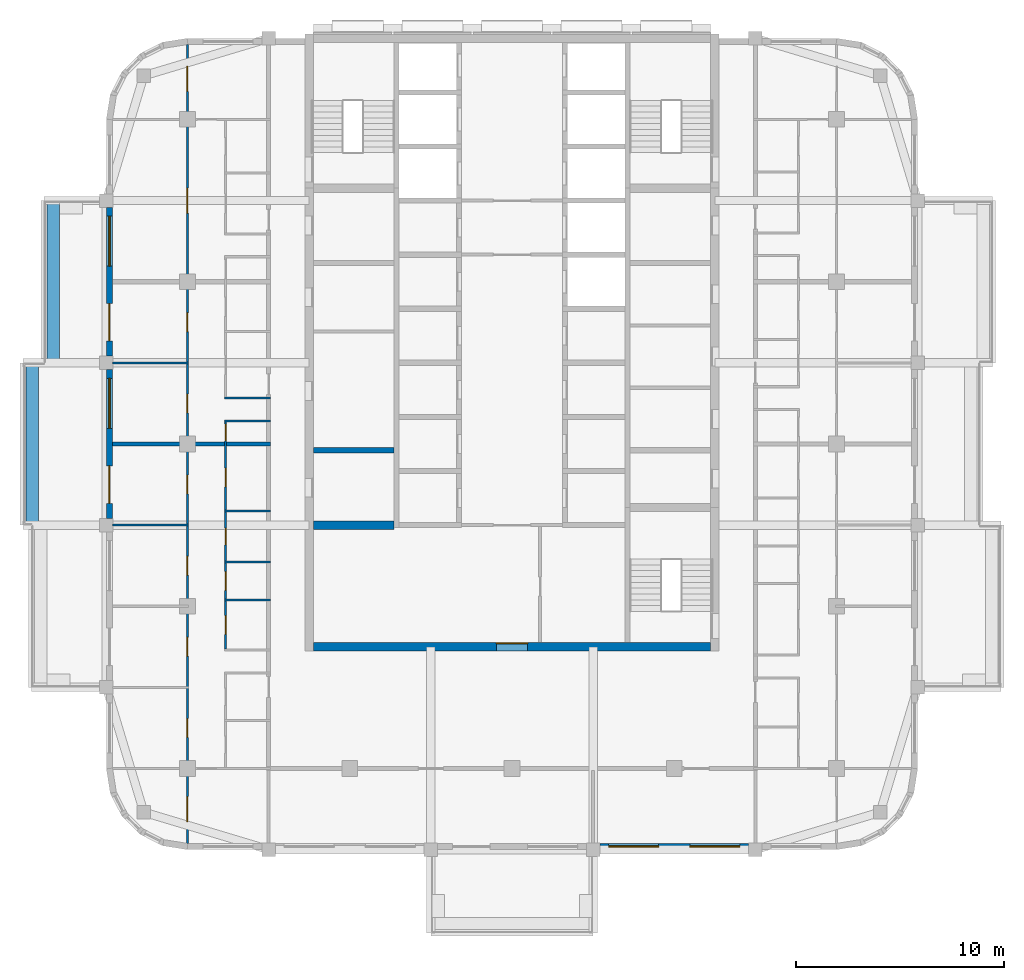
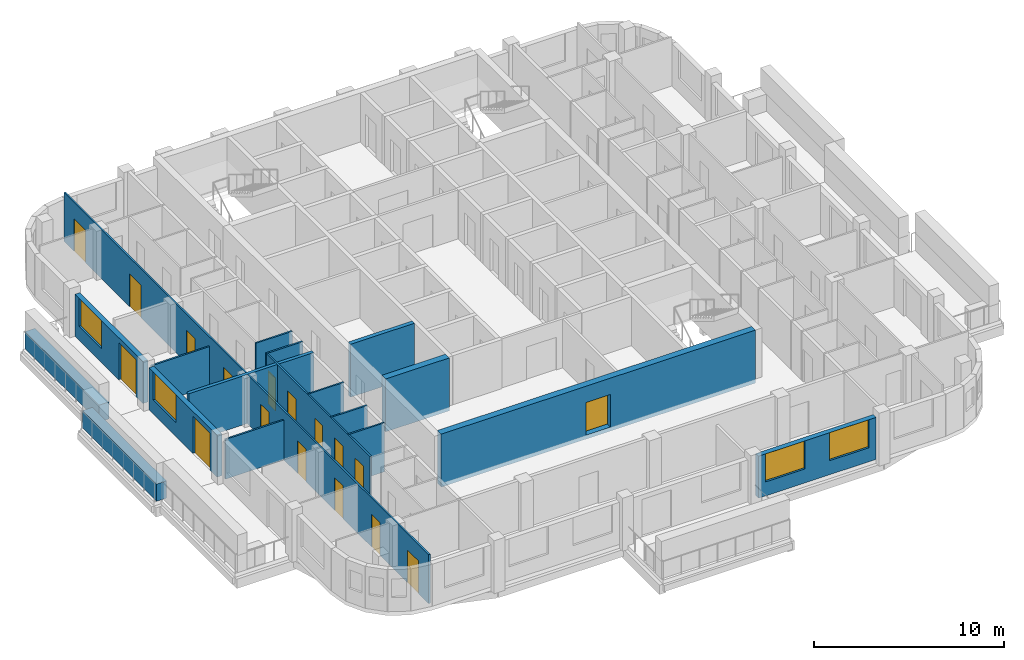
# One storey, part 3 of 13: 18 walls, 17 doors, 4 windows, 21 openings.
"""IFC4 building model written with IfcOpenShell, lengths in metres."""

from ifc_helpers import new_model, si_unit, direction, frame, frame_2d, origin, place, context, subcontext, project, spatial, rectangle, extrude, material, layer, layer_set, type_object, element, fill, save


model = new_model("IFC4")

# Units and contexts
model_context = context("Model", 3, precision=1e-05, world=origin(), true_north=direction((0.0, 1.0)))
body_context = subcontext(model_context, "Body", "Model", "MODEL_VIEW")
ifc_project = project(units=[si_unit("LENGTHUNIT", "METRE"), si_unit("AREAUNIT", "SQUARE_METRE"), si_unit("VOLUMEUNIT", "CUBIC_METRE"), si_unit("PLANEANGLEUNIT", "RADIAN"), si_unit("MASSUNIT", "GRAM", prefix="KILO")], contexts=[model_context])

# Site, building, storey
site_placement = place(None, origin())
site = spatial("IfcSite", under=ifc_project, at=site_placement, CompositionType="ELEMENT")
building_placement = place(site_placement, origin())
building = spatial("IfcBuilding", under=site, at=building_placement, Name="Ludao Terraces", CompositionType="ELEMENT")
storey_placement = place(building_placement, frame((0.0, 0.0, 249.39990234375)))
storey = spatial("IfcBuildingStorey", under=building, at=storey_placement, Name="L68", CompositionType="ELEMENT", Elevation=249.39990234375)

# Wall, opening, door
ifc_material_1 = material(Name="Concrete C50", Category="concrete")
ifc_layer_1 = layer(ifc_material_1, 0.39990234375)
ifc_layer_set_1 = layer_set([ifc_layer_1], Name="Core wall 400 C50")
wall_type_1 = type_object("IfcWallType", Name="Core wall 400 C50", PredefinedType="SOLIDWALL", material=ifc_layer_set_1)
wall_1_placement = place(storey_placement, frame((75.449951171875, 55.25, -0.25), z_axis=(0.0, 0.0, 1.0), x_axis=(1.0, 0.0, 0.0)))
wall_1 = element("IfcWall", 1, at=wall_1_placement, inside=storey, type_object=wall_type_1, Name="Core wall L68 outer-S", PredefinedType="SOLIDWALL", context=body_context, shape_type="SweptSolid", body=[
    extrude(rectangle(XDim=19.10009765625, YDim=0.39990234375, at=frame_2d((9.550048828125, 0.0))), origin(), (0.0, 0.0, 1.0), 3.400146484375),
])
opening_1_placement = place(wall_1_placement, frame((8.800048828125, 0.0, 0.25)))
opening_1 = element("IfcOpeningElement", 2, at=opening_1_placement, cuts=wall_1, Name="Opening R24-016", PredefinedType="OPENING", context=body_context, shape_type="SweptSolid", body=[
    extrude(rectangle(XDim=1.5, YDim=2.10009765625, at=frame_2d((0.75, 1.050048828125))), frame((0.0, 0.2099609375, 0.0), z_axis=(0.0, -1.0, 0.0), x_axis=(1.0, 0.0, 0.0)), (0.0, 0.0, 1.0), 0.419921875),
])
ifc_material_2 = material(Name="Steel Q235", Category="steel")
door_type_1 = type_object("IfcDoorType", Name="INT Lobby door 1500", OperationType="DOUBLE_DOOR_SINGLE_SWING", PredefinedType="DOOR", material=ifc_material_2)
door_1_placement = place(opening_1_placement, origin())
door_1 = element("IfcDoor", 3, at=door_1_placement, inside=storey, type_object=door_type_1, Name="DOOR 016", OperationType="DOUBLE_DOOR_SINGLE_SWING", OverallHeight=2.10009765625, OverallWidth=1.5, PredefinedType="DOOR", context=body_context, shape_type="SweptSolid", body=[
    extrude(rectangle(XDim=1.5, YDim=2.10009765625, at=frame_2d((0.75, 1.050048828125))), frame((0.0, 0.18505859375, 0.0), z_axis=(0.0, -1.0, 0.0), x_axis=(1.0, 0.0, 0.0)), (0.0, 0.0, 1.0), 0.050048828125),
])
fill(opening_1, door_1)

# Walls
ifc_material_3 = material(Name="Concrete C40", Category="concrete")
ifc_layer_2 = layer(ifc_material_3, 0.60009765625)
ifc_layer_set_2 = layer_set([ifc_layer_2], Name="ENV Planter trough 600")
wall_type_2 = type_object("IfcWallType", Name="ENV Planter trough 600", PredefinedType="USERDEFINED", material=ifc_layer_set_2)
wall_2_placement = place(storey_placement, frame((61.949951171875, 61.10009765625, 0.0), z_axis=(0.0, 0.0, 1.0), x_axis=(0.0, 1.0, 0.0)))
element("IfcWall", 4, at=wall_2_placement, inside=storey, type_object=wall_type_2, Name="PL-L68-W2", ObjectType="PLANTER", PredefinedType="USERDEFINED", context=body_context, shape_type="SweptSolid", body=[
    extrude(rectangle(XDim=7.7998046875, YDim=0.60009765625, at=frame_2d((3.89990234375, 0.0))), origin(), (0.0, 0.0, 1.0), 1.10009765625),
])
wall_3_placement = place(storey_placement, frame((62.949951171875, 68.89990234375, 0.0), z_axis=(0.0, 0.0, 1.0), x_axis=(0.0, 1.0, 0.0)))
element("IfcWall", 5, at=wall_3_placement, inside=storey, type_object=wall_type_2, Name="PL-L68-W3", ObjectType="PLANTER", PredefinedType="USERDEFINED", context=body_context, shape_type="SweptSolid", body=[
    extrude(rectangle(XDim=7.800048828125, YDim=0.60009765625, at=frame_2d((3.89990234375, 0.0))), origin(), (0.0, 0.0, 1.0), 1.10009765625),
])

# Wall, openings, windows
ifc_material_4 = material(Name="Granite cladding", Category="masonry")
ifc_layer_3 = layer(ifc_material_4, 0.0400390625, Category="stone")
ifc_material_5 = material(Name="Mineral wool")
ifc_layer_4 = layer(ifc_material_5, 0.06005859375)
ifc_layer_5 = layer(ifc_material_3, 0.199951171875, Category="concrete")
ifc_layer_set_3 = layer_set([ifc_layer_3, ifc_layer_4, ifc_layer_5], Name="ENV Stone-clad wall 300")
wall_type_3 = type_object("IfcWallType", Name="ENV Stone-clad wall 300", PredefinedType="SOLIDWALL", material=ifc_layer_set_3)
wall_4_placement = place(storey_placement, frame((89.22509765625, 45.64990234375, 0.0), z_axis=(0.0, 0.0, 1.0), x_axis=(1.0, 0.0, 0.0)))
wall_4 = element("IfcWall", 6, at=wall_4_placement, inside=storey, type_object=wall_type_3, Name="EW-L68-S4", PredefinedType="SOLIDWALL", context=body_context, shape_type="SweptSolid", body=[
    extrude(rectangle(XDim=7.14990234375, YDim=0.300048828125, at=frame_2d((3.574951171875, 0.0))), origin(), (0.0, 0.0, 1.0), 2.7001953125),
])
opening_2_placement = place(wall_4_placement, frame((0.425048828125, 0.0, 0.89990234375)))
opening_2 = element("IfcOpeningElement", 7, at=opening_2_placement, cuts=wall_4, Name="Opening W1", PredefinedType="OPENING", context=body_context, shape_type="SweptSolid", body=[
    extrude(rectangle(XDim=2.39990234375, YDim=1.800048828125, at=frame_2d((1.199951171875, 0.89990234375))), frame((0.0, 0.16015625, 0.0), z_axis=(0.0, -1.0, 0.0), x_axis=(1.0, 0.0, 0.0)), (0.0, 0.0, 1.0), 0.320068359375),
])
opening_3_placement = place(wall_4_placement, frame((4.324951171875, 0.0, 0.89990234375)))
opening_3 = element("IfcOpeningElement", 8, at=opening_3_placement, cuts=wall_4, Name="Opening W1", PredefinedType="OPENING", context=body_context, shape_type="SweptSolid", body=[
    extrude(rectangle(XDim=2.39990234375, YDim=1.800048828125, at=frame_2d((1.199951171875, 0.89990234375))), frame((0.0, 0.16015625, 0.0), z_axis=(0.0, -1.0, 0.0), x_axis=(1.0, 0.0, 0.0)), (0.0, 0.0, 1.0), 0.320068359375),
])
ifc_material_6 = material(Name="Clear glass in aluminium frame", Category="aluminium")
ifc_layer_6 = layer(ifc_material_6, 0.06005859375)
ifc_layer_set_4 = layer_set([ifc_layer_6], Name="ENV Window W1 2400x1800")
window_type = type_object("IfcWindowType", Name="ENV Window W1 2400x1800", PartitioningType="DOUBLE_PANEL_VERTICAL", PredefinedType="WINDOW", material=ifc_layer_set_4)
window_1_placement = place(opening_2_placement, origin())
window_1 = element("IfcWindow", 9, at=window_1_placement, inside=storey, type_object=window_type, Name="W-L68-S4-1", OverallHeight=1.800048828125, OverallWidth=2.39990234375, PartitioningType="DOUBLE_PANEL_VERTICAL", PredefinedType="WINDOW", context=body_context, shape_type="SweptSolid", body=[
    extrude(rectangle(XDim=2.39990234375, YDim=1.800048828125, at=frame_2d((1.199951171875, 0.89990234375))), frame((0.0, 0.030029296875, 0.0), z_axis=(0.0, -1.0, 0.0), x_axis=(1.0, 0.0, 0.0)), (0.0, 0.0, 1.0), 0.06005859375),
])
fill(opening_2, window_1)
window_2_placement = place(opening_3_placement, origin())
window_2 = element("IfcWindow", 10, at=window_2_placement, inside=storey, type_object=window_type, Name="W-L68-S4-2", OverallHeight=1.800048828125, OverallWidth=2.39990234375, PartitioningType="DOUBLE_PANEL_VERTICAL", PredefinedType="WINDOW", context=body_context, shape_type="SweptSolid", body=[
    extrude(rectangle(XDim=2.39990234375, YDim=1.800048828125, at=frame_2d((1.199951171875, 0.89990234375))), frame((0.0, 0.030029296875, 0.0), z_axis=(0.0, -1.0, 0.0), x_axis=(1.0, 0.0, 0.0)), (0.0, 0.0, 1.0), 0.06005859375),
])
fill(opening_3, window_2)

# Wall, openings, door, window
wall_5_placement = place(storey_placement, frame((65.64990234375, 61.425048828125, 0.0), z_axis=(0.0, 0.0, 1.0), x_axis=(0.0, 1.0, 0.0)))
wall_5 = element("IfcWall", 11, at=wall_5_placement, inside=storey, type_object=wall_type_3, Name="EW-L68-W3", PredefinedType="SOLIDWALL", context=body_context, shape_type="SweptSolid", body=[
    extrude(rectangle(XDim=7.14990234375, YDim=0.300048828125, at=frame_2d((3.574951171875, 0.0))), origin(), (0.0, 0.0, 1.0), 2.7001953125),
])
opening_4_placement = place(wall_5_placement, frame((0.72509765625, 0.0, 0.0)))
opening_4 = element("IfcOpeningElement", 12, at=opening_4_placement, cuts=wall_5, Name="Opening BD", PredefinedType="OPENING", context=body_context, shape_type="SweptSolid", body=[
    extrude(rectangle(XDim=1.800048828125, YDim=2.39990234375, at=frame_2d((0.89990234375, 1.199951171875))), frame((0.0, 0.16015625, 0.0), z_axis=(0.0, -1.0, 0.0), x_axis=(1.0, 0.0, 0.0)), (0.0, 0.0, 1.0), 0.320068359375),
])
opening_5_placement = place(wall_5_placement, frame((4.324951171875, 0.0, 0.89990234375)))
opening_5 = element("IfcOpeningElement", 13, at=opening_5_placement, cuts=wall_5, Name="Opening W1", PredefinedType="OPENING", context=body_context, shape_type="SweptSolid", body=[
    extrude(rectangle(XDim=2.39990234375, YDim=1.800048828125, at=frame_2d((1.199951171875, 0.89990234375))), frame((0.0, 0.16015625, 0.0), z_axis=(0.0, -1.0, 0.0), x_axis=(1.0, 0.0, 0.0)), (0.0, 0.0, 1.0), 0.320068359375),
])
ifc_material_7 = material(Name="Aluminium glazed door", Category="aluminium")
ifc_layer_7 = layer(ifc_material_7, 0.06005859375)
ifc_layer_set_5 = layer_set([ifc_layer_7], Name="ENV Balcony door BD 1800x2400")
door_type_2 = type_object("IfcDoorType", Name="ENV Balcony door BD 1800x2400", OperationType="DOUBLE_DOOR_SINGLE_SWING", PredefinedType="DOOR", material=ifc_layer_set_5)
door_2_placement = place(opening_4_placement, origin())
door_2 = element("IfcDoor", 14, at=door_2_placement, inside=storey, type_object=door_type_2, Name="BD-L68-W3-1", OperationType="DOUBLE_DOOR_SINGLE_SWING", OverallHeight=2.39990234375, OverallWidth=1.800048828125, PredefinedType="DOOR", context=body_context, shape_type="SweptSolid", body=[
    extrude(rectangle(XDim=1.800048828125, YDim=2.39990234375, at=frame_2d((0.89990234375, 1.199951171875))), frame((0.0, 0.02490234375, 0.0), z_axis=(0.0, -1.0, 0.0), x_axis=(1.0, 0.0, 0.0)), (0.0, 0.0, 1.0), 0.050048828125),
])
fill(opening_4, door_2)
window_3_placement = place(opening_5_placement, origin())
window_3 = element("IfcWindow", 15, at=window_3_placement, inside=storey, type_object=window_type, Name="W-L68-W3-2", OverallHeight=1.800048828125, OverallWidth=2.39990234375, PartitioningType="DOUBLE_PANEL_VERTICAL", PredefinedType="WINDOW", context=body_context, shape_type="SweptSolid", body=[
    extrude(rectangle(XDim=2.39990234375, YDim=1.800048828125, at=frame_2d((1.199951171875, 0.89990234375))), frame((0.0, 0.030029296875, 0.0), z_axis=(0.0, -1.0, 0.0), x_axis=(1.0, 0.0, 0.0)), (0.0, 0.0, 1.0), 0.06005859375),
])
fill(opening_5, window_3)

wall_6_placement = place(storey_placement, frame((65.64990234375, 69.22509765625, 0.0), z_axis=(0.0, 0.0, 1.0), x_axis=(0.0, 1.0, 0.0)))
wall_6 = element("IfcWall", 16, at=wall_6_placement, inside=storey, type_object=wall_type_3, Name="EW-L68-W4", PredefinedType="SOLIDWALL", context=body_context, shape_type="SweptSolid", body=[
    extrude(rectangle(XDim=7.14990234375, YDim=0.300048828125, at=frame_2d((3.574951171875, 0.0))), origin(), (0.0, 0.0, 1.0), 2.7001953125),
])
opening_6_placement = place(wall_6_placement, frame((0.72509765625, 0.0, 0.0)))
opening_6 = element("IfcOpeningElement", 17, at=opening_6_placement, cuts=wall_6, Name="Opening BD", PredefinedType="OPENING", context=body_context, shape_type="SweptSolid", body=[
    extrude(rectangle(XDim=1.800048828125, YDim=2.39990234375, at=frame_2d((0.89990234375, 1.199951171875))), frame((0.0, 0.16015625, 0.0), z_axis=(0.0, -1.0, 0.0), x_axis=(1.0, 0.0, 0.0)), (0.0, 0.0, 1.0), 0.320068359375),
])
opening_7_placement = place(wall_6_placement, frame((4.324951171875, 0.0, 0.89990234375)))
opening_7 = element("IfcOpeningElement", 18, at=opening_7_placement, cuts=wall_6, Name="Opening W1", PredefinedType="OPENING", context=body_context, shape_type="SweptSolid", body=[
    extrude(rectangle(XDim=2.39990234375, YDim=1.800048828125, at=frame_2d((1.199951171875, 0.89990234375))), frame((0.0, 0.16015625, 0.0), z_axis=(0.0, -1.0, 0.0), x_axis=(1.0, 0.0, 0.0)), (0.0, 0.0, 1.0), 0.320068359375),
])
door_3_placement = place(opening_6_placement, origin())
door_3 = element("IfcDoor", 19, at=door_3_placement, inside=storey, type_object=door_type_2, Name="BD-L68-W4-1", OperationType="DOUBLE_DOOR_SINGLE_SWING", OverallHeight=2.39990234375, OverallWidth=1.800048828125, PredefinedType="DOOR", context=body_context, shape_type="SweptSolid", body=[
    extrude(rectangle(XDim=1.800048828125, YDim=2.39990234375, at=frame_2d((0.89990234375, 1.199951171875))), frame((0.0, 0.02490234375, 0.0), z_axis=(0.0, -1.0, 0.0), x_axis=(1.0, 0.0, 0.0)), (0.0, 0.0, 1.0), 0.050048828125),
])
fill(opening_6, door_3)
window_4_placement = place(opening_7_placement, origin())
window_4 = element("IfcWindow", 20, at=window_4_placement, inside=storey, type_object=window_type, Name="W-L68-W4-2", OverallHeight=1.800048828125, OverallWidth=2.39990234375, PartitioningType="DOUBLE_PANEL_VERTICAL", PredefinedType="WINDOW", context=body_context, shape_type="SweptSolid", body=[
    extrude(rectangle(XDim=2.39990234375, YDim=1.800048828125, at=frame_2d((1.199951171875, 0.89990234375))), frame((0.0, 0.030029296875, 0.0), z_axis=(0.0, -1.0, 0.0), x_axis=(1.0, 0.0, 0.0)), (0.0, 0.0, 1.0), 0.06005859375),
])
fill(opening_7, window_4)

# Walls
ifc_material_8 = material(Name="Gypsum plasterboard", Category="gypsum")
ifc_layer_8 = layer(ifc_material_8, 0.012451171875, Category="gypsum")
ifc_layer_9 = layer(ifc_material_5, 0.06005859375, Name="insulation")
ifc_layer_10 = layer(ifc_material_2, 0.014892578125, Name="stud")
ifc_layer_11 = layer(ifc_material_8, 0.012451171875, Category="gypsum")
ifc_layer_set_6 = layer_set([ifc_layer_8, ifc_layer_9, ifc_layer_10, ifc_layer_11], Name="INT Partition 100")
wall_type_4 = type_object("IfcWallType", Name="INT Partition 100", PredefinedType="PARTITIONING", material=ifc_layer_set_6)
for number, where, z_axis, x_axis, name in (
    (21, (71.18017578125, 57.5, 0.0), (0.0, 0.0, 1.0), (1.0, 0.0, 0.0), "PW-L68-PW012"),
    (22, (71.18017578125, 59.330078125, 0.0), (0.0, 0.0, 1.0), (1.0, 0.0, 0.0), "PW-L68-PW014"),
):
    element("IfcWall", number, at=place(storey_placement, frame(where, z_axis=z_axis, x_axis=x_axis)), inside=storey, type_object=wall_type_4, Name=name, PredefinedType="PARTITIONING", context=body_context, shape_type="SweptSolid", body=[
        extrude(rectangle(XDim=2.219970703125, YDim=0.10009765625, at=frame_2d((1.10986328125, 0.0))), origin(), (0.0, 0.0, 1.0), 3.150146484375),
    ])
wall_7_placement = place(storey_placement, frame((65.800048828125, 61.10009765625, 0.0), z_axis=(0.0, 0.0, 1.0), x_axis=(1.0, 0.0, 0.0)))
element("IfcWall", 23, at=wall_7_placement, inside=storey, type_object=wall_type_4, Name="PW-L68-PW016", PredefinedType="PARTITIONING", context=body_context, shape_type="SweptSolid", body=[
    extrude(rectangle(XDim=3.650146484375, YDim=0.10009765625, at=frame_2d((1.8251953125, 0.0))), origin(), (0.0, 0.0, 1.0), 2.550048828125),
])
for number, where, z_axis, x_axis, name in (
    (24, (71.18017578125, 61.780029296875, 0.0), (0.0, 0.0, 1.0), (1.0, 0.0, 0.0), "PW-L68-PW019"),
    (25, (71.18017578125, 66.10009765625, 0.0), (0.0, 0.0, 1.0), (1.0, 0.0, 0.0), "PW-L68-PW023"),
    (26, (71.18017578125, 67.199951171875, 0.0), (0.0, 0.0, 1.0), (1.0, 0.0, 0.0), "PW-L68-PW025"),
):
    element("IfcWall", number, at=place(storey_placement, frame(where, z_axis=z_axis, x_axis=x_axis)), inside=storey, type_object=wall_type_4, Name=name, PredefinedType="PARTITIONING", context=body_context, shape_type="SweptSolid", body=[
        extrude(rectangle(XDim=2.219970703125, YDim=0.10009765625, at=frame_2d((1.10986328125, 0.0))), origin(), (0.0, 0.0, 1.0), 3.150146484375),
    ])
wall_8_placement = place(storey_placement, frame((65.800048828125, 68.89990234375, 0.0), z_axis=(0.0, 0.0, 1.0), x_axis=(1.0, 0.0, 0.0)))
element("IfcWall", 27, at=wall_8_placement, inside=storey, type_object=wall_type_4, Name="PW-L68-PW028", PredefinedType="PARTITIONING", context=body_context, shape_type="SweptSolid", body=[
    extrude(rectangle(XDim=3.650146484375, YDim=0.10009765625, at=frame_2d((1.8251953125, 0.0))), origin(), (0.0, 0.0, 1.0), 2.550048828125),
])

# Wall, openings, doors
wall_9_placement = place(storey_placement, frame((69.39990234375, 45.800048828125, 0.0), z_axis=(0.0, 0.0, 1.0), x_axis=(0.0, 1.0, 0.0)))
wall_9 = element("IfcWall", 28, at=wall_9_placement, inside=storey, type_object=wall_type_4, Name="PW-L68-PW046", PredefinedType="PARTITIONING", context=body_context, shape_type="SweptSolid", body=[
    extrude(rectangle(XDim=38.400146484375, YDim=0.10009765625, at=frame_2d((19.2001953125, 0.0))), origin(), (0.0, 0.0, 1.0), 3.150146484375),
])
opening_8_placement = place(wall_9_placement, frame((1.050048828125, 0.0, 0.0)))
opening_8 = element("IfcOpeningElement", 29, at=opening_8_placement, cuts=wall_9, Name="Opening R24-001", PredefinedType="OPENING", context=body_context, shape_type="SweptSolid", body=[
    extrude(rectangle(XDim=1.199951171875, YDim=2.10009765625, at=frame_2d((0.60009765625, 1.050048828125))), frame((0.0, 0.06005859375, 0.0), z_axis=(0.0, -1.0, 0.0), x_axis=(1.0, 0.0, 0.0)), (0.0, 0.0, 1.0), 0.1201171875),
])
opening_9_placement = place(wall_9_placement, frame((5.10009765625, 0.0, 0.0)))
opening_9 = element("IfcOpeningElement", 30, at=opening_9_placement, cuts=wall_9, Name="Opening R24-009", PredefinedType="OPENING", context=body_context, shape_type="SweptSolid", body=[
    extrude(rectangle(XDim=0.89990234375, YDim=2.10009765625, at=frame_2d((0.449951171875, 1.050048828125))), frame((0.0, 0.06005859375, 0.0), z_axis=(0.0, -1.0, 0.0), x_axis=(1.0, 0.0, 0.0)), (0.0, 0.0, 1.0), 0.1201171875),
])
opening_10_placement = place(wall_9_placement, frame((9.0, 0.0, 0.0)))
opening_10 = element("IfcOpeningElement", 31, at=opening_10_placement, cuts=wall_9, Name="Opening R24-015", PredefinedType="OPENING", context=body_context, shape_type="SweptSolid", body=[
    extrude(rectangle(XDim=0.89990234375, YDim=2.10009765625, at=frame_2d((0.449951171875, 1.050048828125))), frame((0.0, 0.06005859375, 0.0), z_axis=(0.0, -1.0, 0.0), x_axis=(1.0, 0.0, 0.0)), (0.0, 0.0, 1.0), 0.1201171875),
])
opening_11_placement = place(wall_9_placement, frame((12.89990234375, 0.0, 0.0)))
opening_11 = element("IfcOpeningElement", 32, at=opening_11_placement, cuts=wall_9, Name="Opening R24-022", PredefinedType="OPENING", context=body_context, shape_type="SweptSolid", body=[
    extrude(rectangle(XDim=0.89990234375, YDim=2.10009765625, at=frame_2d((0.449951171875, 1.050048828125))), frame((0.0, 0.06005859375, 0.0), z_axis=(0.0, -1.0, 0.0), x_axis=(1.0, 0.0, 0.0)), (0.0, 0.0, 1.0), 0.1201171875),
])
opening_12_placement = place(wall_9_placement, frame((16.800048828125, 0.0, 0.0)))
opening_12 = element("IfcOpeningElement", 33, at=opening_12_placement, cuts=wall_9, Name="Opening R24-031", PredefinedType="OPENING", context=body_context, shape_type="SweptSolid", body=[
    extrude(rectangle(XDim=0.89990234375, YDim=2.10009765625, at=frame_2d((0.449951171875, 1.050048828125))), frame((0.0, 0.06005859375, 0.0), z_axis=(0.0, -1.0, 0.0), x_axis=(1.0, 0.0, 0.0)), (0.0, 0.0, 1.0), 0.1201171875),
])
opening_13_placement = place(wall_9_placement, frame((20.699951171875, 0.0, 0.0)))
opening_13 = element("IfcOpeningElement", 34, at=opening_13_placement, cuts=wall_9, Name="Opening R24-041", PredefinedType="OPENING", context=body_context, shape_type="SweptSolid", body=[
    extrude(rectangle(XDim=0.89990234375, YDim=2.10009765625, at=frame_2d((0.449951171875, 1.050048828125))), frame((0.0, 0.06005859375, 0.0), z_axis=(0.0, -1.0, 0.0), x_axis=(1.0, 0.0, 0.0)), (0.0, 0.0, 1.0), 0.1201171875),
])
opening_14_placement = place(wall_9_placement, frame((24.60009765625, 0.0, 0.0)))
opening_14 = element("IfcOpeningElement", 35, at=opening_14_placement, cuts=wall_9, Name="Opening R24-053", PredefinedType="OPENING", context=body_context, shape_type="SweptSolid", body=[
    extrude(rectangle(XDim=0.89990234375, YDim=2.10009765625, at=frame_2d((0.449951171875, 1.050048828125))), frame((0.0, 0.06005859375, 0.0), z_axis=(0.0, -1.0, 0.0), x_axis=(1.0, 0.0, 0.0)), (0.0, 0.0, 1.0), 0.1201171875),
])
opening_15_placement = place(wall_9_placement, frame((30.300048828125, 0.0, 0.0)))
opening_15 = element("IfcOpeningElement", 36, at=opening_15_placement, cuts=wall_9, Name="Opening R24-072", PredefinedType="OPENING", context=body_context, shape_type="SweptSolid", body=[
    extrude(rectangle(XDim=1.199951171875, YDim=2.10009765625, at=frame_2d((0.60009765625, 1.050048828125))), frame((0.0, 0.06005859375, 0.0), z_axis=(0.0, -1.0, 0.0), x_axis=(1.0, 0.0, 0.0)), (0.0, 0.0, 1.0), 0.1201171875),
])
opening_16_placement = place(wall_9_placement, frame((36.14990234375, 0.0, 0.0)))
opening_16 = element("IfcOpeningElement", 37, at=opening_16_placement, cuts=wall_9, Name="Opening R24-085", PredefinedType="OPENING", context=body_context, shape_type="SweptSolid", body=[
    extrude(rectangle(XDim=1.199951171875, YDim=2.10009765625, at=frame_2d((0.60009765625, 1.050048828125))), frame((0.0, 0.06005859375, 0.0), z_axis=(0.0, -1.0, 0.0), x_axis=(1.0, 0.0, 0.0)), (0.0, 0.0, 1.0), 0.1201171875),
])
ifc_material_9 = material(Name="Timber door leaf", Category="wood")
door_type_3 = type_object("IfcDoorType", Name="INT Double door 1200", OperationType="DOUBLE_DOOR_SINGLE_SWING", PredefinedType="DOOR", material=ifc_material_9)
door_4_placement = place(opening_8_placement, origin())
door_4 = element("IfcDoor", 38, at=door_4_placement, inside=storey, type_object=door_type_3, Name="DOOR 001", OperationType="DOUBLE_DOOR_SINGLE_SWING", OverallHeight=2.10009765625, OverallWidth=1.199951171875, PredefinedType="DOOR", context=body_context, shape_type="SweptSolid", body=[
    extrude(rectangle(XDim=1.199951171875, YDim=2.10009765625, at=frame_2d((0.60009765625, 1.050048828125))), frame((0.0, 0.02490234375, 0.0), z_axis=(0.0, -1.0, 0.0), x_axis=(1.0, 0.0, 0.0)), (0.0, 0.0, 1.0), 0.050048828125),
])
fill(opening_8, door_4)
door_5_placement = place(opening_15_placement, origin())
door_5 = element("IfcDoor", 39, at=door_5_placement, inside=storey, type_object=door_type_3, Name="DOOR 072", OperationType="DOUBLE_DOOR_SINGLE_SWING", OverallHeight=2.10009765625, OverallWidth=1.199951171875, PredefinedType="DOOR", context=body_context, shape_type="SweptSolid", body=[
    extrude(rectangle(XDim=1.199951171875, YDim=2.10009765625, at=frame_2d((0.60009765625, 1.050048828125))), frame((0.0, 0.02490234375, 0.0), z_axis=(0.0, -1.0, 0.0), x_axis=(1.0, 0.0, 0.0)), (0.0, 0.0, 1.0), 0.050048828125),
])
fill(opening_15, door_5)
door_6_placement = place(opening_16_placement, origin())
door_6 = element("IfcDoor", 40, at=door_6_placement, inside=storey, type_object=door_type_3, Name="DOOR 085", OperationType="DOUBLE_DOOR_SINGLE_SWING", OverallHeight=2.10009765625, OverallWidth=1.199951171875, PredefinedType="DOOR", context=body_context, shape_type="SweptSolid", body=[
    extrude(rectangle(XDim=1.199951171875, YDim=2.10009765625, at=frame_2d((0.60009765625, 1.050048828125))), frame((0.0, 0.02490234375, 0.0), z_axis=(0.0, -1.0, 0.0), x_axis=(1.0, 0.0, 0.0)), (0.0, 0.0, 1.0), 0.050048828125),
])
fill(opening_16, door_6)
door_type_4 = type_object("IfcDoorType", Name="INT Room door 900", OperationType="SINGLE_SWING_LEFT", PredefinedType="DOOR", material=ifc_material_9)
door_7_placement = place(opening_9_placement, origin())
door_7 = element("IfcDoor", 41, at=door_7_placement, inside=storey, type_object=door_type_4, Name="DOOR 009", OperationType="SINGLE_SWING_LEFT", OverallHeight=2.10009765625, OverallWidth=0.89990234375, PredefinedType="DOOR", context=body_context, shape_type="SweptSolid", body=[
    extrude(rectangle(XDim=0.89990234375, YDim=2.10009765625, at=frame_2d((0.449951171875, 1.050048828125))), frame((0.0, 0.02490234375, 0.0), z_axis=(0.0, -1.0, 0.0), x_axis=(1.0, 0.0, 0.0)), (0.0, 0.0, 1.0), 0.050048828125),
])
fill(opening_9, door_7)
door_8_placement = place(opening_10_placement, origin())
door_8 = element("IfcDoor", 42, at=door_8_placement, inside=storey, type_object=door_type_4, Name="DOOR 015", OperationType="SINGLE_SWING_LEFT", OverallHeight=2.10009765625, OverallWidth=0.89990234375, PredefinedType="DOOR", context=body_context, shape_type="SweptSolid", body=[
    extrude(rectangle(XDim=0.89990234375, YDim=2.10009765625, at=frame_2d((0.449951171875, 1.050048828125))), frame((0.0, 0.02490234375, 0.0), z_axis=(0.0, -1.0, 0.0), x_axis=(1.0, 0.0, 0.0)), (0.0, 0.0, 1.0), 0.050048828125),
])
fill(opening_10, door_8)
door_9_placement = place(opening_11_placement, origin())
door_9 = element("IfcDoor", 43, at=door_9_placement, inside=storey, type_object=door_type_4, Name="DOOR 022", OperationType="SINGLE_SWING_LEFT", OverallHeight=2.10009765625, OverallWidth=0.89990234375, PredefinedType="DOOR", context=body_context, shape_type="SweptSolid", body=[
    extrude(rectangle(XDim=0.89990234375, YDim=2.10009765625, at=frame_2d((0.449951171875, 1.050048828125))), frame((0.0, 0.02490234375, 0.0), z_axis=(0.0, -1.0, 0.0), x_axis=(1.0, 0.0, 0.0)), (0.0, 0.0, 1.0), 0.050048828125),
])
fill(opening_11, door_9)
door_10_placement = place(opening_12_placement, origin())
door_10 = element("IfcDoor", 44, at=door_10_placement, inside=storey, type_object=door_type_4, Name="DOOR 031", OperationType="SINGLE_SWING_RIGHT", OverallHeight=2.10009765625, OverallWidth=0.89990234375, PredefinedType="DOOR", context=body_context, shape_type="SweptSolid", body=[
    extrude(rectangle(XDim=0.89990234375, YDim=2.10009765625, at=frame_2d((0.449951171875, 1.050048828125))), frame((0.0, 0.02490234375, 0.0), z_axis=(0.0, -1.0, 0.0), x_axis=(1.0, 0.0, 0.0)), (0.0, 0.0, 1.0), 0.050048828125),
])
fill(opening_12, door_10)
door_11_placement = place(opening_13_placement, origin())
door_11 = element("IfcDoor", 45, at=door_11_placement, inside=storey, type_object=door_type_4, Name="DOOR 041", OperationType="SINGLE_SWING_LEFT", OverallHeight=2.10009765625, OverallWidth=0.89990234375, PredefinedType="DOOR", context=body_context, shape_type="SweptSolid", body=[
    extrude(rectangle(XDim=0.89990234375, YDim=2.10009765625, at=frame_2d((0.449951171875, 1.050048828125))), frame((0.0, 0.02490234375, 0.0), z_axis=(0.0, -1.0, 0.0), x_axis=(1.0, 0.0, 0.0)), (0.0, 0.0, 1.0), 0.050048828125),
])
fill(opening_13, door_11)
door_12_placement = place(opening_14_placement, origin())
door_12 = element("IfcDoor", 46, at=door_12_placement, inside=storey, type_object=door_type_4, Name="DOOR 053", OperationType="SINGLE_SWING_LEFT", OverallHeight=2.10009765625, OverallWidth=0.89990234375, PredefinedType="DOOR", context=body_context, shape_type="SweptSolid", body=[
    extrude(rectangle(XDim=0.89990234375, YDim=2.10009765625, at=frame_2d((0.449951171875, 1.050048828125))), frame((0.0, 0.02490234375, 0.0), z_axis=(0.0, -1.0, 0.0), x_axis=(1.0, 0.0, 0.0)), (0.0, 0.0, 1.0), 0.050048828125),
])
fill(opening_14, door_12)

wall_10_placement = place(storey_placement, frame((71.22998046875, 55.150146484375, 0.0), z_axis=(0.0, 0.0, 1.0), x_axis=(0.0, 1.0, 0.0)))
wall_10 = element("IfcWall", 47, at=wall_10_placement, inside=storey, type_object=wall_type_4, Name="PW-L68-PW048", PredefinedType="PARTITIONING", context=body_context, shape_type="SweptSolid", body=[
    extrude(rectangle(XDim=10.89990234375, YDim=0.10009765625, at=frame_2d((5.449951171875, 0.0))), origin(), (0.0, 0.0, 1.0), 3.150146484375),
])
opening_17_placement = place(wall_10_placement, frame((0.699951171875, 0.0, 0.0)))
opening_17 = element("IfcOpeningElement", 48, at=opening_17_placement, cuts=wall_10, Name="Opening R24-018", PredefinedType="OPENING", context=body_context, shape_type="SweptSolid", body=[
    extrude(rectangle(XDim=0.89990234375, YDim=2.10009765625, at=frame_2d((0.449951171875, 1.050048828125))), frame((0.0, 0.06005859375, 0.0), z_axis=(0.0, -1.0, 0.0), x_axis=(1.0, 0.0, 0.0)), (0.0, 0.0, 1.0), 0.1201171875),
])
opening_18_placement = place(wall_10_placement, frame((2.81494140625, 0.0, 0.0)))
opening_18 = element("IfcOpeningElement", 49, at=opening_18_placement, cuts=wall_10, Name="Opening R24-021", PredefinedType="OPENING", context=body_context, shape_type="SweptSolid", body=[
    extrude(rectangle(XDim=0.89990234375, YDim=2.10009765625, at=frame_2d((0.449951171875, 1.050048828125))), frame((0.0, 0.06005859375, 0.0), z_axis=(0.0, -1.0, 0.0), x_axis=(1.0, 0.0, 0.0)), (0.0, 0.0, 1.0), 0.1201171875),
])
opening_19_placement = place(wall_10_placement, frame((5.0048828125, 0.0, 0.0)))
opening_19 = element("IfcOpeningElement", 50, at=opening_19_placement, cuts=wall_10, Name="Opening R24-025", PredefinedType="OPENING", context=body_context, shape_type="SweptSolid", body=[
    extrude(rectangle(XDim=0.800048828125, YDim=2.10009765625, at=frame_2d((0.39990234375, 1.050048828125))), frame((0.0, 0.06005859375, 0.0), z_axis=(0.0, -1.0, 0.0), x_axis=(1.0, 0.0, 0.0)), (0.0, 0.0, 1.0), 0.1201171875),
])
opening_20_placement = place(wall_10_placement, frame((7.7900390625, 0.0, 0.0)))
opening_20 = element("IfcOpeningElement", 51, at=opening_20_placement, cuts=wall_10, Name="Opening R24-034", PredefinedType="OPENING", context=body_context, shape_type="SweptSolid", body=[
    extrude(rectangle(XDim=0.89990234375, YDim=2.10009765625, at=frame_2d((0.449951171875, 1.050048828125))), frame((0.0, 0.06005859375, 0.0), z_axis=(0.0, -1.0, 0.0), x_axis=(1.0, 0.0, 0.0)), (0.0, 0.0, 1.0), 0.1201171875),
])
opening_21_placement = place(wall_10_placement, frame((10.0, 0.0, 0.0)))
opening_21 = element("IfcOpeningElement", 52, at=opening_21_placement, cuts=wall_10, Name="Opening R24-038", PredefinedType="OPENING", context=body_context, shape_type="SweptSolid", body=[
    extrude(rectangle(XDim=0.800048828125, YDim=2.10009765625, at=frame_2d((0.39990234375, 1.050048828125))), frame((0.0, 0.06005859375, 0.0), z_axis=(0.0, -1.0, 0.0), x_axis=(1.0, 0.0, 0.0)), (0.0, 0.0, 1.0), 0.1201171875),
])
door_type_5 = type_object("IfcDoorType", Name="INT Bathroom door 900", OperationType="SINGLE_SWING_LEFT", PredefinedType="DOOR", material=ifc_material_9)
door_13_placement = place(opening_17_placement, origin())
door_13 = element("IfcDoor", 53, at=door_13_placement, inside=storey, type_object=door_type_5, Name="DOOR 018", OperationType="SINGLE_SWING_RIGHT", OverallHeight=2.10009765625, OverallWidth=0.89990234375, PredefinedType="DOOR", context=body_context, shape_type="SweptSolid", body=[
    extrude(rectangle(XDim=0.89990234375, YDim=2.10009765625, at=frame_2d((0.449951171875, 1.050048828125))), frame((0.0, 0.02490234375, 0.0), z_axis=(0.0, -1.0, 0.0), x_axis=(1.0, 0.0, 0.0)), (0.0, 0.0, 1.0), 0.050048828125),
])
fill(opening_17, door_13)
door_14_placement = place(opening_18_placement, origin())
door_14 = element("IfcDoor", 54, at=door_14_placement, inside=storey, type_object=door_type_5, Name="DOOR 021", OperationType="SINGLE_SWING_LEFT", OverallHeight=2.10009765625, OverallWidth=0.89990234375, PredefinedType="DOOR", context=body_context, shape_type="SweptSolid", body=[
    extrude(rectangle(XDim=0.89990234375, YDim=2.10009765625, at=frame_2d((0.449951171875, 1.050048828125))), frame((0.0, 0.02490234375, 0.0), z_axis=(0.0, -1.0, 0.0), x_axis=(1.0, 0.0, 0.0)), (0.0, 0.0, 1.0), 0.050048828125),
])
fill(opening_18, door_14)
door_15_placement = place(opening_20_placement, origin())
door_15 = element("IfcDoor", 55, at=door_15_placement, inside=storey, type_object=door_type_4, Name="DOOR 034", OperationType="SINGLE_SWING_LEFT", OverallHeight=2.10009765625, OverallWidth=0.89990234375, PredefinedType="DOOR", context=body_context, shape_type="SweptSolid", body=[
    extrude(rectangle(XDim=0.89990234375, YDim=2.10009765625, at=frame_2d((0.449951171875, 1.050048828125))), frame((0.0, 0.02490234375, 0.0), z_axis=(0.0, -1.0, 0.0), x_axis=(1.0, 0.0, 0.0)), (0.0, 0.0, 1.0), 0.050048828125),
])
fill(opening_20, door_15)
door_type_6 = type_object("IfcDoorType", Name="INT Store door 800", OperationType="SINGLE_SWING_LEFT", PredefinedType="DOOR", material=ifc_material_9)
door_16_placement = place(opening_19_placement, origin())
door_16 = element("IfcDoor", 56, at=door_16_placement, inside=storey, type_object=door_type_6, Name="DOOR 025", OperationType="SINGLE_SWING_RIGHT", OverallHeight=2.10009765625, OverallWidth=0.800048828125, PredefinedType="DOOR", context=body_context, shape_type="SweptSolid", body=[
    extrude(rectangle(XDim=0.800048828125, YDim=2.10009765625, at=frame_2d((0.39990234375, 1.050048828125))), frame((0.0, 0.02490234375, 0.0), z_axis=(0.0, -1.0, 0.0), x_axis=(1.0, 0.0, 0.0)), (0.0, 0.0, 1.0), 0.050048828125),
])
fill(opening_19, door_16)
door_17_placement = place(opening_21_placement, origin())
door_17 = element("IfcDoor", 57, at=door_17_placement, inside=storey, type_object=door_type_6, Name="DOOR 038", OperationType="SINGLE_SWING_RIGHT", OverallHeight=2.10009765625, OverallWidth=0.800048828125, PredefinedType="DOOR", context=body_context, shape_type="SweptSolid", body=[
    extrude(rectangle(XDim=0.800048828125, YDim=2.10009765625, at=frame_2d((0.39990234375, 1.050048828125))), frame((0.0, 0.02490234375, 0.0), z_axis=(0.0, -1.0, 0.0), x_axis=(1.0, 0.0, 0.0)), (0.0, 0.0, 1.0), 0.050048828125),
])
fill(opening_21, door_17)

# Walls
ifc_material_10 = material(Name="Autoclaved aerated concrete block B06 A3.5", Category="concrete")
ifc_layer_12 = layer(ifc_material_10, 0.199951171875)
ifc_layer_set_7 = layer_set([ifc_layer_12], Name="INT Party wall 200")
wall_type_5 = type_object("IfcWallType", Name="INT Party wall 200", PredefinedType="PARTITIONING", material=ifc_layer_set_7)
wall_11_placement = place(storey_placement, frame((65.800048828125, 65.0, 0.0), z_axis=(0.0, 0.0, 1.0), x_axis=(1.0, 0.0, 0.0)))
element("IfcWall", 58, at=wall_11_placement, inside=storey, type_object=wall_type_5, Name="PW-L68-PW021", PredefinedType="PARTITIONING", context=body_context, shape_type="SweptSolid", body=[
    extrude(rectangle(XDim=7.60009765625, YDim=0.199951171875, at=frame_2d((3.800048828125, 0.0))), origin(), (0.0, 0.0, 1.0), 3.150146484375),
])
ifc_layer_13 = layer(ifc_material_1, 0.25)
ifc_layer_set_8 = layer_set([ifc_layer_13], Name="Shaft wall 250 C50")
wall_type_6 = type_object("IfcWallType", Name="Shaft wall 250 C50", PredefinedType="SOLIDWALL", material=ifc_layer_set_8)
wall_12_placement = place(storey_placement, frame((75.449951171875, 64.699951171875, -0.25), z_axis=(0.0, 0.0, 1.0), x_axis=(1.0, 0.0, 0.0)))
element("IfcWall", 59, at=wall_12_placement, inside=storey, type_object=wall_type_6, Name="Core wall L68 riser-a-W", PredefinedType="SOLIDWALL", context=body_context, shape_type="SweptSolid", body=[
    extrude(rectangle(XDim=3.875, YDim=0.25, at=frame_2d((1.9375, 0.0))), origin(), (0.0, 0.0, 1.0), 3.400146484375),
])
ifc_layer_14 = layer(ifc_material_1, 0.39990234375)
ifc_layer_set_9 = layer_set([ifc_layer_14], Name="Shaft wall 400 C50")
wall_type_7 = type_object("IfcWallType", Name="Shaft wall 400 C50", PredefinedType="SOLIDWALL", material=ifc_layer_set_9)
wall_13_placement = place(storey_placement, frame((75.449951171875, 61.10009765625, -0.25), z_axis=(0.0, 0.0, 1.0), x_axis=(1.0, 0.0, 0.0)))
element("IfcWall", 60, at=wall_13_placement, inside=storey, type_object=wall_type_7, Name="Core wall L68 hall-W", PredefinedType="SOLIDWALL", context=body_context, shape_type="SweptSolid", body=[
    extrude(rectangle(XDim=3.875, YDim=0.39990234375, at=frame_2d((1.9375, 0.0))), origin(), (0.0, 0.0, 1.0), 3.400146484375),
])

save(model, "model.ifc")
